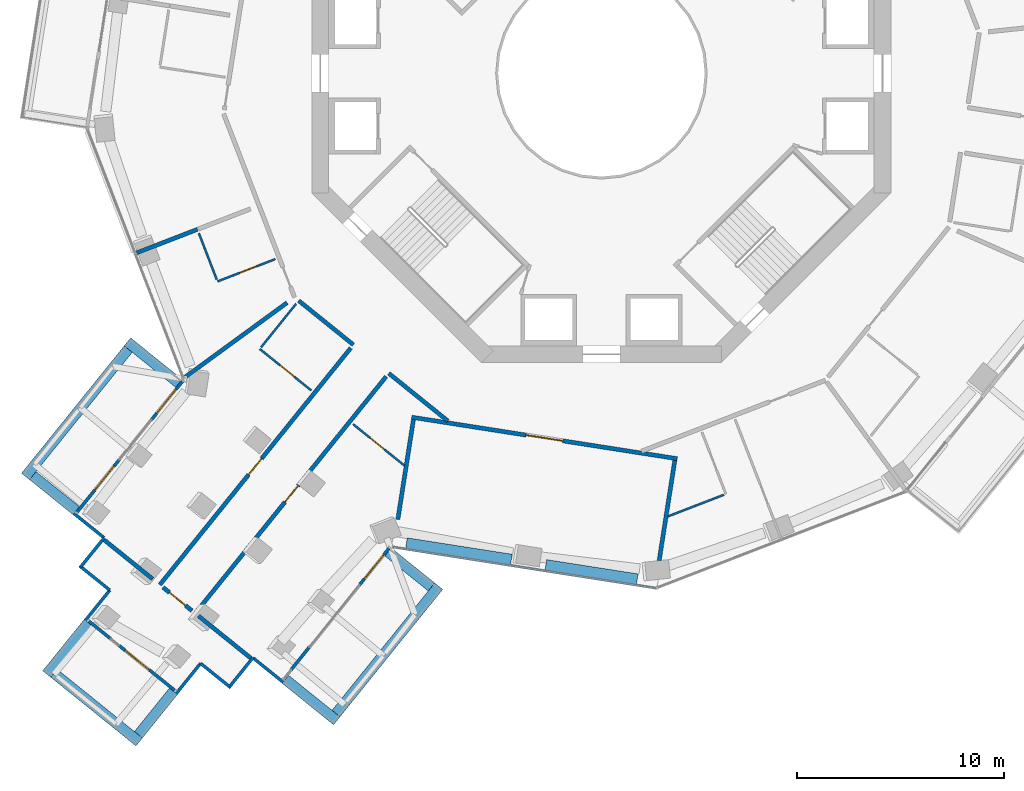
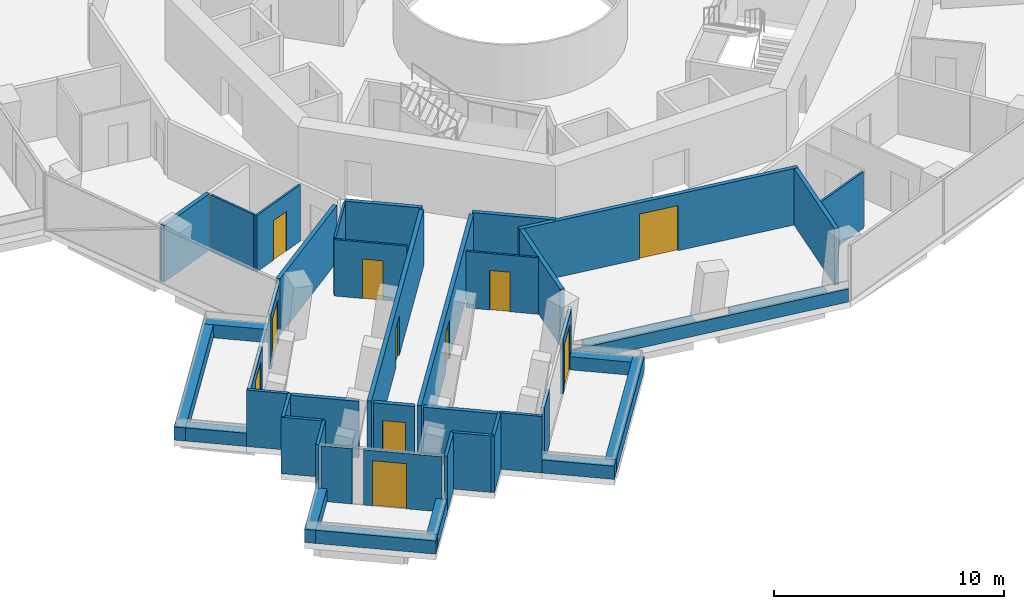
# One storey, part 15 of 23: 44 walls, 11 doors, 11 openings.
"""IFC4 building model written with IfcOpenShell, lengths in metres."""

from ifc_helpers import new_model, si_unit, direction, frame, frame_2d, origin, place, context, subcontext, project, spatial, rectangle, extrude, material, layer, layer_set, type_object, element, fill, save


model = new_model("IFC4")

# Units and contexts
model_context = context("Model", 3, precision=1e-05, world=origin(), true_north=direction((0.0, 1.0)))
body_context = subcontext(model_context, "Body", "Model", "MODEL_VIEW")
ifc_project = project(units=[si_unit("LENGTHUNIT", "METRE"), si_unit("AREAUNIT", "SQUARE_METRE"), si_unit("VOLUMEUNIT", "CUBIC_METRE"), si_unit("PLANEANGLEUNIT", "RADIAN"), si_unit("MASSUNIT", "GRAM", prefix="KILO")], contexts=[model_context])

# Site, building, storey
site_placement = place(None, origin())
site = spatial("IfcSite", under=ifc_project, at=site_placement, CompositionType="ELEMENT")
building_placement = place(site_placement, origin())
building = spatial("IfcBuilding", under=site, at=building_placement, Name="Verdalira Terraces Hotel", CompositionType="ELEMENT")
storey_placement = place(building_placement, frame((0.0, 0.0, 118.5)))
storey = spatial("IfcBuildingStorey", under=building, at=storey_placement, Name="L28", CompositionType="ELEMENT", Elevation=118.5)

# Walls
ifc_material_1 = material(Name="Concrete C40", Category="concrete")
ifc_layer_1 = layer(ifc_material_1, 0.5)
ifc_layer_set_1 = layer_set([ifc_layer_1], Name="Balcony planter trough with tree")
wall_type_1 = type_object("IfcWallType", Name="Balcony planter trough with tree", PredefinedType="SOLIDWALL", material=ifc_layer_set_1)
wall_1_placement = place(storey_placement, frame((-20.444336, -14.998291, 0.0), z_axis=(0.0, 0.0, 1.0), x_axis=(-0.778473182, 0.627677867, 0.0)))
element("IfcWall", 1, at=wall_1_placement, inside=storey, type_object=wall_type_1, Name="Balcony planter", PredefinedType="SOLIDWALL", context=body_context, shape_type="SweptSolid", body=[
    extrude(rectangle(XDim=3.199219, YDim=0.5, at=frame_2d((1.599609, 0.0))), origin(), (0.0, 0.0, 1.0), 0.699951),
])
wall_2_placement = place(storey_placement, frame((-22.896973, -13.341797, 0.0), z_axis=(0.0, 0.0, 1.0), x_axis=(-0.627694597, -0.778459693, 0.0)))
element("IfcWall", 2, at=wall_2_placement, inside=storey, type_object=wall_type_1, Name="Balcony planter", PredefinedType="SOLIDWALL", context=body_context, shape_type="SweptSolid", body=[
    extrude(rectangle(XDim=7.918701, YDim=0.5, at=frame_2d((3.959473, 0.0))), origin(), (0.0, 0.0, 1.0), 0.699951),
])
wall_3_placement = place(storey_placement, frame((-27.515869, -19.468262, 0.0), z_axis=(0.0, 0.0, 1.0), x_axis=(0.778471497, -0.627679958, 0.0)))
element("IfcWall", 3, at=wall_3_placement, inside=storey, type_object=wall_type_1, Name="Balcony planter", PredefinedType="SOLIDWALL", context=body_context, shape_type="SweptSolid", body=[
    extrude(rectangle(XDim=2.698975, YDim=0.5, at=frame_2d((1.349609, 0.0))), origin(), (0.0, 0.0, 1.0), 0.699951),
])
wall_4_placement = place(storey_placement, frame((-24.834229, -26.577637, 0.0), z_axis=(0.0, 0.0, 1.0), x_axis=(-0.627715158, -0.778443113, 0.0)))
element("IfcWall", 4, at=wall_4_placement, inside=storey, type_object=wall_type_1, Name="Balcony planter", PredefinedType="SOLIDWALL", context=body_context, shape_type="SweptSolid", body=[
    extrude(rectangle(XDim=3.198975, YDim=0.5, at=frame_2d((1.599609, 0.0))), origin(), (0.0, 0.0, 1.0), 0.699951),
])
wall_5_placement = place(storey_placement, frame((-26.490723, -29.030273, 0.0), z_axis=(0.0, 0.0, 1.0), x_axis=(0.778481289, -0.627667813, 0.0)))
element("IfcWall", 5, at=wall_5_placement, inside=storey, type_object=wall_type_1, Name="Balcony planter", PredefinedType="SOLIDWALL", context=body_context, shape_type="SweptSolid", body=[
    extrude(rectangle(XDim=5.300049, YDim=0.5, at=frame_2d((2.649902, 0.0))), origin(), (0.0, 0.0, 1.0), 0.699951),
])
wall_6_placement = place(storey_placement, frame((-22.402588, -32.005371, 0.0), z_axis=(0.0, 0.0, 1.0), x_axis=(0.627679958, 0.778471497, 0.0)))
element("IfcWall", 6, at=wall_6_placement, inside=storey, type_object=wall_type_1, Name="Balcony planter", PredefinedType="SOLIDWALL", context=body_context, shape_type="SweptSolid", body=[
    extrude(rectangle(XDim=2.698975, YDim=0.5, at=frame_2d((1.349609, 0.0))), origin(), (0.0, 0.0, 1.0), 0.699951),
])
wall_7_placement = place(storey_placement, frame((-15.293213, -29.32373, 0.0), z_axis=(0.0, 0.0, 1.0), x_axis=(0.778443113, -0.627715158, 0.0)))
element("IfcWall", 7, at=wall_7_placement, inside=storey, type_object=wall_type_1, Name="Balcony planter", PredefinedType="SOLIDWALL", context=body_context, shape_type="SweptSolid", body=[
    extrude(rectangle(XDim=3.198975, YDim=0.5, at=frame_2d((1.599609, 0.0))), origin(), (0.0, 0.0, 1.0), 0.699951),
])
wall_8_placement = place(storey_placement, frame((-12.840576, -30.980225, 0.0), z_axis=(0.0, 0.0, 1.0), x_axis=(0.627675913, 0.778474758, 0.0)))
element("IfcWall", 8, at=wall_8_placement, inside=storey, type_object=wall_type_1, Name="Balcony planter", PredefinedType="SOLIDWALL", context=body_context, shape_type="SweptSolid", body=[
    extrude(rectangle(XDim=7.918457, YDim=0.5, at=frame_2d((3.959229, 0.0))), origin(), (0.0, 0.0, 1.0), 0.699951),
])
wall_9_placement = place(storey_placement, frame((-8.221924, -24.853516, 0.0), z_axis=(0.0, 0.0, 1.0), x_axis=(-0.778471497, 0.627679958, 0.0)))
element("IfcWall", 9, at=wall_9_placement, inside=storey, type_object=wall_type_1, Name="Balcony planter", PredefinedType="SOLIDWALL", context=body_context, shape_type="SweptSolid", body=[
    extrude(rectangle(XDim=2.698975, YDim=0.5, at=frame_2d((1.349609, 0.0))), origin(), (0.0, 0.0, 1.0), 0.699951),
])
ifc_material_2 = material(Name="Moisture-resistant gypsum board partition")
ifc_layer_2 = layer(ifc_material_2, 0.10009765625)
ifc_layer_set_2 = layer_set([ifc_layer_2], Name="Bathroom partition 100 mm")
wall_type_2 = type_object("IfcWallType", Name="Bathroom partition 100 mm", PredefinedType="PARTITIONING", material=ifc_layer_set_2)
wall_10_placement = place(storey_placement, frame((-18.61377, -9.977051, 0.0), z_axis=(0.0, 0.0, 1.0), x_axis=(-0.360314788, 0.932830774, 0.0)))
element("IfcWall", 10, at=wall_10_placement, inside=storey, type_object=wall_type_2, Name="Bathroom partition", PredefinedType="PARTITIONING", context=body_context, shape_type="SweptSolid", body=[
    extrude(rectangle(XDim=2.399902, YDim=0.100098, at=frame_2d((1.199951, 0.0))), origin(), (0.0, 0.0, 1.0), 3.0),
])

# Wall, opening, door
wall_11_placement = place(storey_placement, frame((-18.577637, -10.070312, 0.0), z_axis=(0.0, 0.0, 1.0), x_axis=(0.932839169, 0.360293055, 0.0)))
wall_11 = element("IfcWall", 11, at=wall_11_placement, inside=storey, type_object=wall_type_2, Name="Bathroom partition", PredefinedType="PARTITIONING", context=body_context, shape_type="SweptSolid", body=[
    extrude(rectangle(XDim=2.999756, YDim=0.100098, at=frame_2d((1.5, 0.0))), origin(), (0.0, 0.0, 1.0), 3.0),
])
opening_1_placement = place(wall_11_placement, frame((1.149902, 0.0, 0.0)))
opening_1 = element("IfcOpeningElement", 12, at=opening_1_placement, cuts=wall_11, Name="Opening L28-111", PredefinedType="OPENING", context=body_context, shape_type="SweptSolid", body=[
    extrude(rectangle(XDim=0.899902, YDim=2.100098, at=frame_2d((0.449951, 1.050049))), frame((0.0, 0.060059, 0.0), z_axis=(0.0, -1.0, 0.0), x_axis=(1.0, 0.0, 0.0)), (0.0, 0.0, 1.0), 0.120117),
])
ifc_material_3 = material(Name="Timber door", Category="wood")
door_type_1 = type_object("IfcDoorType", Name="Bathroom door 900 x 2100", OperationType="NOTDEFINED", PredefinedType="DOOR", material=ifc_material_3)
door_1_placement = place(opening_1_placement, origin())
door_1 = element("IfcDoor", 13, at=door_1_placement, inside=storey, type_object=door_type_1, Name="Bathroom door 2805", OperationType="SINGLE_SWING_LEFT", OverallHeight=2.10009765625, OverallWidth=0.89990234375, PredefinedType="DOOR", context=body_context, shape_type="SweptSolid", body=[
    extrude(rectangle(XDim=0.899902, YDim=2.100098, at=frame_2d((0.449951, 1.050049))), frame((0.0, 0.024902, 0.0), z_axis=(0.0, -1.0, 0.0), x_axis=(1.0, 0.0, 0.0)), (0.0, 0.0, 1.0), 0.050049),
])
fill(opening_1, door_1)

# Wall
wall_12_placement = place(storey_placement, frame((-16.470215, -13.25708, 0.0), z_axis=(0.0, 0.0, 1.0), x_axis=(0.6277118, 0.778445821, 0.0)))
element("IfcWall", 14, at=wall_12_placement, inside=storey, type_object=wall_type_2, Name="Bathroom partition", PredefinedType="PARTITIONING", context=body_context, shape_type="SweptSolid", body=[
    extrude(rectangle(XDim=2.699951, YDim=0.100098, at=frame_2d((1.350098, 0.0))), origin(), (0.0, 0.0, 1.0), 3.0),
])

# Wall, opening, door
wall_13_placement = place(storey_placement, frame((-16.532959, -13.334961, 0.0), z_axis=(0.0, 0.0, 1.0), x_axis=(0.778488797, -0.6276585, 0.0)))
wall_13 = element("IfcWall", 15, at=wall_13_placement, inside=storey, type_object=wall_type_2, Name="Bathroom partition", PredefinedType="PARTITIONING", context=body_context, shape_type="SweptSolid", body=[
    extrude(rectangle(XDim=3.199951, YDim=0.100098, at=frame_2d((1.600098, 0.0))), origin(), (0.0, 0.0, 1.0), 3.0),
])
opening_2_placement = place(wall_13_placement, frame((1.25, 0.0, 0.0)))
opening_2 = element("IfcOpeningElement", 16, at=opening_2_placement, cuts=wall_13, Name="Opening L28-113", PredefinedType="OPENING", context=body_context, shape_type="SweptSolid", body=[
    extrude(rectangle(XDim=0.899902, YDim=2.100098, at=frame_2d((0.449951, 1.050049))), frame((0.0, 0.060059, 0.0), z_axis=(0.0, -1.0, 0.0), x_axis=(1.0, 0.0, 0.0)), (0.0, 0.0, 1.0), 0.120117),
])
door_2_placement = place(opening_2_placement, origin())
door_2 = element("IfcDoor", 17, at=door_2_placement, inside=storey, type_object=door_type_1, Name="Bathroom door 2806", OperationType="SINGLE_SWING_LEFT", OverallHeight=2.10009765625, OverallWidth=0.89990234375, PredefinedType="DOOR", context=body_context, shape_type="SweptSolid", body=[
    extrude(rectangle(XDim=0.899902, YDim=2.100098, at=frame_2d((0.449951, 1.050049))), frame((0.0, 0.024902, 0.0), z_axis=(0.0, -1.0, 0.0), x_axis=(1.0, 0.0, 0.0)), (0.0, 0.0, 1.0), 0.050049),
])
fill(opening_2, door_2)

wall_14_placement = place(storey_placement, frame((-12.017822, -16.975586, 0.0), z_axis=(0.0, 0.0, 1.0), x_axis=(0.778473182, -0.627677867, 0.0)))
wall_14 = element("IfcWall", 18, at=wall_14_placement, inside=storey, type_object=wall_type_2, Name="Bathroom partition", PredefinedType="PARTITIONING", context=body_context, shape_type="SweptSolid", body=[
    extrude(rectangle(XDim=3.199219, YDim=0.100098, at=frame_2d((1.599609, 0.0))), origin(), (0.0, 0.0, 1.0), 3.0),
])
opening_3_placement = place(wall_14_placement, frame((1.050049, 0.0, 0.0)))
opening_3 = element("IfcOpeningElement", 19, at=opening_3_placement, cuts=wall_14, Name="Opening L28-116", PredefinedType="OPENING", context=body_context, shape_type="SweptSolid", body=[
    extrude(rectangle(XDim=0.899902, YDim=2.100098, at=frame_2d((0.449951, 1.050049))), frame((0.0, 0.060059, 0.0), z_axis=(0.0, -1.0, 0.0), x_axis=(1.0, 0.0, 0.0)), (0.0, 0.0, 1.0), 0.120117),
])
door_3_placement = place(opening_3_placement, origin())
door_3 = element("IfcDoor", 20, at=door_3_placement, inside=storey, type_object=door_type_1, Name="Bathroom door 2808", OperationType="SINGLE_SWING_RIGHT", OverallHeight=2.10009765625, OverallWidth=0.89990234375, PredefinedType="DOOR", context=body_context, shape_type="SweptSolid", body=[
    extrude(rectangle(XDim=0.899902, YDim=2.100098, at=frame_2d((0.449951, 1.050049))), frame((0.0, 0.024902, 0.0), z_axis=(0.0, -1.0, 0.0), x_axis=(1.0, 0.0, 0.0)), (0.0, 0.0, 1.0), 0.050049),
])
fill(opening_3, door_3)

# Walls
wall_15_placement = place(storey_placement, frame((3.211182, -21.441406, 0.0), z_axis=(0.0, 0.0, 1.0), x_axis=(0.932845531, 0.360276582, 0.0)))
element("IfcWall", 21, at=wall_15_placement, inside=storey, type_object=wall_type_2, Name="Bathroom partition", PredefinedType="PARTITIONING", context=body_context, shape_type="SweptSolid", body=[
    extrude(rectangle(XDim=2.911865, YDim=0.100098, at=frame_2d((1.456055, 0.0))), origin(), (0.0, 0.0, 1.0), 3.0),
])
ifc_material_4 = material(Name="Fire-rated gypsum board wall")
ifc_layer_3 = layer(ifc_material_4, 0.199951171875)
ifc_layer_set_3 = layer_set([ifc_layer_3], Name="Demising wall 200 mm")
wall_type_3 = type_object("IfcWallType", Name="Demising wall 200 mm", PredefinedType="SOLIDWALL", material=ifc_layer_set_3)
wall_16_placement = place(storey_placement, frame((-24.052979, -22.581787, 0.0), z_axis=(0.0, 0.0, 1.0), x_axis=(0.778483522, -0.627665043, 0.0)))
element("IfcWall", 22, at=wall_16_placement, inside=storey, type_object=wall_type_3, Name="Demising wall", PredefinedType="SOLIDWALL", context=body_context, shape_type="SweptSolid", body=[
    extrude(rectangle(XDim=3.00293, YDim=0.199951, at=frame_2d((1.501465, 0.0))), origin(), (0.0, 0.0, 1.0), 3.0),
])
wall_17_placement = place(storey_placement, frame((-19.548584, -7.551025, 0.0), z_axis=(0.0, 0.0, 1.0), x_axis=(-0.932833636, -0.360307379, 0.0)))
element("IfcWall", 23, at=wall_17_placement, inside=storey, type_object=wall_type_3, Name="Demising wall", PredefinedType="SOLIDWALL", context=body_context, shape_type="SweptSolid", body=[
    extrude(rectangle(XDim=3.1521, YDim=0.199951, at=frame_2d((1.576172, 0.0))), origin(), (0.0, 0.0, 1.0), 3.0),
])
wall_18_placement = place(storey_placement, frame((-19.500488, -26.252441, 0.0), z_axis=(0.0, 0.0, 1.0), x_axis=(0.778453274, -0.627702558, 0.0)))
element("IfcWall", 24, at=wall_18_placement, inside=storey, type_object=wall_type_3, Name="Demising wall", PredefinedType="SOLIDWALL", context=body_context, shape_type="SweptSolid", body=[
    extrude(rectangle(XDim=3.251953, YDim=0.199951, at=frame_2d((1.625977, 0.0))), origin(), (0.0, 0.0, 1.0), 3.0),
])
wall_19_placement = place(storey_placement, frame((-15.212158, -11.101074, 0.0), z_axis=(0.0, 0.0, 1.0), x_axis=(-0.807781213, -0.589482411, 0.0)))
element("IfcWall", 25, at=wall_19_placement, inside=storey, type_object=wall_type_3, Name="Demising wall", PredefinedType="SOLIDWALL", context=body_context, shape_type="SweptSolid", body=[
    extrude(rectangle(XDim=6.13208, YDim=0.199951, at=frame_2d((3.065918, 0.0))), origin(), (0.0, 0.0, 1.0), 3.0),
])

# Wall, opening, door
ifc_material_5 = material(Name="Fire-rated gypsum board wall")
ifc_layer_4 = layer(ifc_material_5, 0.199951171875)
ifc_layer_set_4 = layer_set([ifc_layer_4], Name="Guest corridor wall 200 mm")
wall_type_4 = type_object("IfcWallType", Name="Guest corridor wall 200 mm", PredefinedType="SOLIDWALL", material=ifc_layer_set_4)
wall_20_placement = place(storey_placement, frame((-19.808838, -26.003906, 0.0), z_axis=(0.0, 0.0, 1.0), x_axis=(-0.778470697, 0.62768095, 0.0)))
wall_20 = element("IfcWall", 26, at=wall_20_placement, inside=storey, type_object=wall_type_4, Name="Guest corridor wall", PredefinedType="SOLIDWALL", context=body_context, shape_type="SweptSolid", body=[
    extrude(rectangle(XDim=1.802002, YDim=0.199951, at=frame_2d((0.900879, 0.0))), origin(), (0.0, 0.0, 1.0), 3.0),
])
opening_4_placement = place(wall_20_placement, frame((0.399902, 0.0, 0.0)))
opening_4 = element("IfcOpeningElement", 27, at=opening_4_placement, cuts=wall_20, Name="Opening L28-114", PredefinedType="OPENING", context=body_context, shape_type="SweptSolid", body=[
    extrude(rectangle(XDim=1.0, YDim=2.100098, at=frame_2d((0.5, 1.050049))), frame((0.0, 0.109863, 0.0), z_axis=(0.0, -1.0, 0.0), x_axis=(1.0, 0.0, 0.0)), (0.0, 0.0, 1.0), 0.219971),
])
ifc_material_6 = material(Name="Timber door", Category="wood")
door_type_2 = type_object("IfcDoorType", Name="Lounge door 1000 x 2100", OperationType="NOTDEFINED", PredefinedType="DOOR", material=ifc_material_6)
door_4_placement = place(opening_4_placement, origin())
door_4 = element("IfcDoor", 28, at=door_4_placement, inside=storey, type_object=door_type_2, Name="Lounge door 2807", OperationType="SINGLE_SWING_LEFT", OverallHeight=2.10009765625, OverallWidth=1.0, PredefinedType="DOOR", context=body_context, shape_type="SweptSolid", body=[
    extrude(rectangle(XDim=1.0, YDim=2.100098, at=frame_2d((0.5, 1.050049))), frame((0.0, 0.024902, 0.0), z_axis=(0.0, -1.0, 0.0), x_axis=(1.0, 0.0, 0.0)), (0.0, 0.0, 1.0), 0.050049),
])
fill(opening_4, door_4)

wall_21_placement = place(storey_placement, frame((-21.367188, -24.747314, 0.0), z_axis=(0.0, 0.0, 1.0), x_axis=(0.627686308, 0.778466376, 0.0)))
wall_21 = element("IfcWall", 29, at=wall_21_placement, inside=storey, type_object=wall_type_4, Name="Guest corridor wall", PredefinedType="SOLIDWALL", context=body_context, shape_type="SweptSolid", body=[
    extrude(rectangle(XDim=14.718262, YDim=0.199951, at=frame_2d((7.359131, 0.0))), origin(), (0.0, 0.0, 1.0), 3.0),
])
opening_5_placement = place(wall_21_placement, frame((6.850098, 0.0, 0.0)))
opening_5 = element("IfcOpeningElement", 30, at=opening_5_placement, cuts=wall_21, Name="Opening L28-112", PredefinedType="OPENING", context=body_context, shape_type="SweptSolid", body=[
    extrude(rectangle(XDim=1.0, YDim=2.100098, at=frame_2d((0.5, 1.050049))), frame((0.0, 0.109863, 0.0), z_axis=(0.0, -1.0, 0.0), x_axis=(1.0, 0.0, 0.0)), (0.0, 0.0, 1.0), 0.219971),
])
ifc_material_7 = material(Name="Timber fire door", Category="wood")
door_type_3 = type_object("IfcDoorType", Name="Guest entry door 1000 x 2100", OperationType="NOTDEFINED", PredefinedType="DOOR", material=ifc_material_7)
door_5_placement = place(opening_5_placement, origin())
door_5 = element("IfcDoor", 31, at=door_5_placement, inside=storey, type_object=door_type_3, Name="Guest entry door 2806", OperationType="SINGLE_SWING_LEFT", OverallHeight=2.10009765625, OverallWidth=1.0, PredefinedType="DOOR", context=body_context, shape_type="SweptSolid", body=[
    extrude(rectangle(XDim=1.0, YDim=2.100098, at=frame_2d((0.5, 1.050049))), frame((0.0, 0.024902, 0.0), z_axis=(0.0, -1.0, 0.0), x_axis=(1.0, 0.0, 0.0)), (0.0, 0.0, 1.0), 0.050049),
])
fill(opening_5, door_5)

wall_22_placement = place(storey_placement, frame((-10.416016, -14.67041, 0.0), z_axis=(0.0, 0.0, 1.0), x_axis=(-0.627686308, -0.778466376, 0.0)))
wall_22 = element("IfcWall", 32, at=wall_22_placement, inside=storey, type_object=wall_type_4, Name="Guest corridor wall", PredefinedType="SOLIDWALL", context=body_context, shape_type="SweptSolid", body=[
    extrude(rectangle(XDim=14.718262, YDim=0.199951, at=frame_2d((7.359131, 0.0))), origin(), (0.0, 0.0, 1.0), 3.0),
])
opening_6_placement = place(wall_22_placement, frame((6.800049, 0.0, 0.0)))
opening_6 = element("IfcOpeningElement", 33, at=opening_6_placement, cuts=wall_22, Name="Opening L28-115", PredefinedType="OPENING", context=body_context, shape_type="SweptSolid", body=[
    extrude(rectangle(XDim=1.0, YDim=2.100098, at=frame_2d((0.5, 1.050049))), frame((0.0, 0.109863, 0.0), z_axis=(0.0, -1.0, 0.0), x_axis=(1.0, 0.0, 0.0)), (0.0, 0.0, 1.0), 0.219971),
])
door_6_placement = place(opening_6_placement, origin())
door_6 = element("IfcDoor", 34, at=door_6_placement, inside=storey, type_object=door_type_3, Name="Guest entry door 2808", OperationType="SINGLE_SWING_RIGHT", OverallHeight=2.10009765625, OverallWidth=1.0, PredefinedType="DOOR", context=body_context, shape_type="SweptSolid", body=[
    extrude(rectangle(XDim=1.0, YDim=2.100098, at=frame_2d((0.5, 1.050049))), frame((0.0, 0.024902, 0.0), z_axis=(0.0, -1.0, 0.0), x_axis=(1.0, 0.0, 0.0)), (0.0, 0.0, 1.0), 0.050049),
])
fill(opening_6, door_6)

# Walls
wall_23_placement = place(storey_placement, frame((-14.649902, -10.999512, 0.0), z_axis=(0.0, 0.0, 1.0), x_axis=(0.778439072, -0.62772017, 0.0)))
element("IfcWall", 35, at=wall_23_placement, inside=storey, type_object=wall_type_4, Name="Guest corridor wall", PredefinedType="SOLIDWALL", context=body_context, shape_type="SweptSolid", body=[
    extrude(rectangle(XDim=3.400146, YDim=0.199951, at=frame_2d((1.700195, 0.0))), origin(), (0.0, 0.0, 1.0), 3.0),
])
wall_24_placement = place(storey_placement, frame((-10.290283, -14.514648, 0.0), z_axis=(0.0, 0.0, 1.0), x_axis=(0.778447565, -0.627709637, 0.0)))
element("IfcWall", 36, at=wall_24_placement, inside=storey, type_object=wall_type_4, Name="Guest corridor wall", PredefinedType="SOLIDWALL", context=body_context, shape_type="SweptSolid", body=[
    extrude(rectangle(XDim=3.678223, YDim=0.199951, at=frame_2d((1.839111, 0.0))), origin(), (0.0, 0.0, 1.0), 3.0),
])

# Wall, opening, door
ifc_material_8 = material(Name="Terracotta cladding", Category="masonry")
ifc_layer_5 = layer(ifc_material_8, 0.199951171875)
ifc_layer_set_5 = layer_set([ifc_layer_5], Name="Loggia back wall 200")
wall_type_5 = type_object("IfcWallType", Name="Loggia back wall 200", PredefinedType="SOLIDWALL", material=ifc_layer_set_5)
wall_25_placement = place(storey_placement, frame((3.665283, -18.647705, 0.0), z_axis=(0.0, 0.0, 1.0), x_axis=(-0.988012481, 0.154374016, 0.0)))
wall_25 = element("IfcWall", 37, at=wall_25_placement, inside=storey, type_object=wall_type_5, Name="Loggia back wall", PredefinedType="SOLIDWALL", context=body_context, shape_type="SweptSolid", body=[
    extrude(rectangle(XDim=12.999756, YDim=0.199951, at=frame_2d((6.5, 0.0))), origin(), (0.0, 0.0, 1.0), 3.0),
])
opening_7_placement = place(wall_25_placement, frame((5.600098, 0.0, 0.0)))
opening_7 = element("IfcOpeningElement", 38, at=opening_7_placement, cuts=wall_25, Name="Opening L28-L01", PredefinedType="OPENING", context=body_context, shape_type="SweptSolid", body=[
    extrude(rectangle(XDim=1.800049, YDim=2.399902, at=frame_2d((0.899902, 1.199951))), frame((0.0, 0.109863, 0.0), z_axis=(0.0, -1.0, 0.0), x_axis=(1.0, 0.0, 0.0)), (0.0, 0.0, 1.0), 0.219971),
])
ifc_material_9 = material(Name="Clear glass", Category="glass")
door_type_4 = type_object("IfcDoorType", Name="Garden double door 1800x2400", OperationType="NOTDEFINED", PredefinedType="DOOR", material=ifc_material_9)
door_7_placement = place(opening_7_placement, origin())
door_7 = element("IfcDoor", 39, at=door_7_placement, inside=storey, type_object=door_type_4, Name="Loggia double door", OperationType="DOUBLE_DOOR_SINGLE_SWING", OverallHeight=2.39990234375, OverallWidth=1.800048828125, PredefinedType="DOOR", context=body_context, shape_type="SweptSolid", body=[
    extrude(rectangle(XDim=1.800049, YDim=2.399902, at=frame_2d((0.899902, 1.199951))), frame((0.0, 0.024902, 0.0), z_axis=(0.0, -1.0, 0.0), x_axis=(1.0, 0.0, 0.0)), (0.0, 0.0, 1.0), 0.050049),
])
fill(opening_7, door_7)

# Walls
wall_26_placement = place(storey_placement, frame((-9.850098, -21.585938, 0.0), z_axis=(0.0, 0.0, 1.0), x_axis=(0.154341846, 0.988017507, 0.0)))
element("IfcWall", 40, at=wall_26_placement, inside=storey, type_object=wall_type_5, Name="Loggia side wall", PredefinedType="SOLIDWALL", context=body_context, shape_type="SweptSolid", body=[
    extrude(rectangle(XDim=4.889404, YDim=0.199951, at=frame_2d((2.444824, 0.0))), origin(), (0.0, 0.0, 1.0), 3.0),
])
wall_27_placement = place(storey_placement, frame((2.794189, -23.576172, 0.0), z_axis=(0.0, 0.0, 1.0), x_axis=(0.15433132, 0.988019152, 0.0)))
element("IfcWall", 41, at=wall_27_placement, inside=storey, type_object=wall_type_5, Name="Loggia side wall", PredefinedType="SOLIDWALL", context=body_context, shape_type="SweptSolid", body=[
    extrude(rectangle(XDim=4.904053, YDim=0.199951, at=frame_2d((2.452148, 0.0))), origin(), (0.0, 0.0, 1.0), 3.0),
])
ifc_material_10 = material(Name="Concrete C40", Category="concrete")
ifc_layer_6 = layer(ifc_material_10, 0.5)
ifc_layer_set_6 = layer_set([ifc_layer_6], Name="Loggia planter trough with tree")
wall_type_6 = type_object("IfcWallType", Name="Loggia planter trough with tree", PredefinedType="SOLIDWALL", material=ifc_layer_set_6)
wall_28_placement = place(storey_placement, frame((-9.434082, -22.724365, 0.0), z_axis=(0.0, 0.0, 1.0), x_axis=(0.988012487, -0.154373981, 0.0)))
element("IfcWall", 42, at=wall_28_placement, inside=storey, type_object=wall_type_6, Name="Loggia planter", PredefinedType="SOLIDWALL", context=body_context, shape_type="SweptSolid", body=[
    extrude(rectangle(XDim=5.138184, YDim=0.5, at=frame_2d((2.569092, 0.0))), origin(), (0.0, 0.0, 1.0), 0.699951),
])
wall_29_placement = place(storey_placement, frame((-2.688721, -23.77832, 0.0), z_axis=(0.0, 0.0, 1.0), x_axis=(0.988012034, -0.15437688, 0.0)))
element("IfcWall", 43, at=wall_29_placement, inside=storey, type_object=wall_type_6, Name="Loggia planter", PredefinedType="SOLIDWALL", context=body_context, shape_type="SweptSolid", body=[
    extrude(rectangle(XDim=4.475586, YDim=0.5, at=frame_2d((2.237793, 0.0))), origin(), (0.0, 0.0, 1.0), 0.699951),
])
ifc_material_11 = material(Name="Concrete C40", Category="concrete")
ifc_layer_7 = layer(ifc_material_11, 0.10009765625)
ifc_layer_set_7 = layer_set([ifc_layer_7], Name="Loggia upstand 100")
wall_type_7 = type_object("IfcWallType", Name="Loggia upstand 100", PredefinedType="SOLIDWALL", material=ifc_layer_set_7)
wall_30_placement = place(storey_placement, frame((-10.080078, -22.927246, 0.0), z_axis=(0.0, 0.0, 1.0), x_axis=(0.988015568, -0.154354259, 0.0)))
element("IfcWall", 44, at=wall_30_placement, inside=storey, type_object=wall_type_7, Name="Loggia upstand", PredefinedType="SOLIDWALL", context=body_context, shape_type="SweptSolid", body=[
    extrude(rectangle(XDim=12.840088, YDim=0.100098, at=frame_2d((6.419922, 0.0))), origin(), (0.0, 0.0, 1.0), 0.699951),
])
ifc_material_12 = material(Name="Terracotta cladding", Category="masonry")
ifc_layer_8 = layer(ifc_material_12, 0.14990234375)
ifc_layer_set_8 = layer_set([ifc_layer_8], Name="Terracotta clad wall 150")
wall_type_8 = type_object("IfcWallType", Name="Terracotta clad wall 150", PredefinedType="SOLIDWALL", material=ifc_layer_set_8)
wall_31_placement = place(storey_placement, frame((-25.523926, -21.299316, 0.0), z_axis=(0.0, 0.0, 1.0), x_axis=(0.778462293, -0.627691372, 0.0)))
element("IfcWall", 45, at=wall_31_placement, inside=storey, type_object=wall_type_8, Name="Terracotta cladding wall", PredefinedType="SOLIDWALL", context=body_context, shape_type="SweptSolid", body=[
    extrude(rectangle(XDim=1.875244, YDim=0.149902, at=frame_2d((0.9375, 0.0))), origin(), (0.0, 0.0, 1.0), 3.0),
])
wall_32_placement = place(storey_placement, frame((-24.064209, -22.476318, 0.0), z_axis=(0.0, 0.0, 1.0), x_axis=(-0.627733893, -0.778428006, 0.0)))
element("IfcWall", 46, at=wall_32_placement, inside=storey, type_object=wall_type_8, Name="Terracotta cladding wall", PredefinedType="SOLIDWALL", context=body_context, shape_type="SweptSolid", body=[
    extrude(rectangle(XDim=1.800049, YDim=0.149902, at=frame_2d((0.899902, 0.0))), origin(), (0.0, 0.0, 1.0), 3.0),
])
for number, where, z_axis, x_axis, name in (
    (47, (-25.252441, -23.830322, 0.0), (0.0, 0.0, 1.0), (0.778410987, -0.627754996, 0.0), "Terracotta cladding wall"),
    (48, (-23.792969, -25.007324, 0.0), (0.0, 0.0, 1.0), (-0.627612461, -0.778525914, 0.0), "Terracotta cladding wall"),
):
    element("IfcWall", number, at=place(storey_placement, frame(where, z_axis=z_axis, x_axis=x_axis)), inside=storey, type_object=wall_type_8, Name=name, PredefinedType="SOLIDWALL", context=body_context, shape_type="SweptSolid", body=[
        extrude(rectangle(XDim=1.875, YDim=0.149902, at=frame_2d((0.9375, 0.0))), origin(), (0.0, 0.0, 1.0), 3.0),
    ])
wall_33_placement = place(storey_placement, frame((-20.571533, -30.013428, 0.0), z_axis=(0.0, 0.0, 1.0), x_axis=(0.627691372, 0.778462293, 0.0)))
element("IfcWall", 49, at=wall_33_placement, inside=storey, type_object=wall_type_8, Name="Terracotta cladding wall", PredefinedType="SOLIDWALL", context=body_context, shape_type="SweptSolid", body=[
    extrude(rectangle(XDim=1.875244, YDim=0.149902, at=frame_2d((0.9375, 0.0))), origin(), (0.0, 0.0, 1.0), 3.0),
])
wall_34_placement = place(storey_placement, frame((-19.394531, -28.553711, 0.0), z_axis=(0.0, 0.0, 1.0), x_axis=(0.778428006, -0.627733893, 0.0)))
element("IfcWall", 50, at=wall_34_placement, inside=storey, type_object=wall_type_8, Name="Terracotta cladding wall", PredefinedType="SOLIDWALL", context=body_context, shape_type="SweptSolid", body=[
    extrude(rectangle(XDim=1.800049, YDim=0.149902, at=frame_2d((0.899902, 0.0))), origin(), (0.0, 0.0, 1.0), 3.0),
])
for number, where, z_axis, x_axis, name in (
    (51, (-18.040527, -29.741943, 0.0), (0.0, 0.0, 1.0), (0.627754996, 0.778410987, 0.0), "Terracotta cladding wall"),
    (52, (-16.863525, -28.282471, 0.0), (0.0, 0.0, 1.0), (0.778525914, -0.627612461, 0.0), "Terracotta cladding wall"),
):
    element("IfcWall", number, at=place(storey_placement, frame(where, z_axis=z_axis, x_axis=x_axis)), inside=storey, type_object=wall_type_8, Name=name, PredefinedType="SOLIDWALL", context=body_context, shape_type="SweptSolid", body=[
        extrude(rectangle(XDim=1.875, YDim=0.149902, at=frame_2d((0.9375, 0.0))), origin(), (0.0, 0.0, 1.0), 3.0),
    ])
ifc_material_13 = material(Name="Terracotta cladding", Category="masonry")
ifc_layer_9 = layer(ifc_material_13, 0.14990234375)
ifc_layer_set_9 = layer_set([ifc_layer_9], Name="Terracotta column pier 150")
wall_type_9 = type_object("IfcWallType", Name="Terracotta column pier 150", PredefinedType="SOLIDWALL", material=ifc_layer_set_9)
wall_35_placement = place(storey_placement, frame((-24.802002, -26.505859, 0.0), z_axis=(0.0, 0.0, 1.0), x_axis=(0.778401839, -0.627766339, 0.0)))
element("IfcWall", 53, at=wall_35_placement, inside=storey, type_object=wall_type_9, Name="Terracotta column pier", PredefinedType="SOLIDWALL", context=body_context, shape_type="SweptSolid", body=[
    extrude(rectangle(XDim=1.374268, YDim=0.149902, at=frame_2d((0.687012, 0.0))), origin(), (0.0, 0.0, 1.0), 2.935059),
])
wall_36_placement = place(storey_placement, frame((-15.019775, -28.863525, 0.0), z_axis=(0.0, 0.0, 1.0), x_axis=(0.627712366, 0.778445365, 0.0)))
element("IfcWall", 54, at=wall_36_placement, inside=storey, type_object=wall_type_9, Name="Terracotta column pier", PredefinedType="SOLIDWALL", context=body_context, shape_type="SweptSolid", body=[
    extrude(rectangle(XDim=1.428467, YDim=0.149902, at=frame_2d((0.714355, 0.0))), origin(), (0.0, 0.0, 1.0), 2.935059),
])

# Wall, opening, door
ifc_material_14 = material(Name="Terracotta cladding", Category="masonry")
ifc_layer_10 = layer(ifc_material_14, 0.14990234375)
ifc_layer_set_10 = layer_set([ifc_layer_10], Name="Terracotta door pier 150")
wall_type_10 = type_object("IfcWallType", Name="Terracotta door pier 150", PredefinedType="SOLIDWALL", material=ifc_layer_set_10)
wall_37_placement = place(storey_placement, frame((-20.272217, -14.905762, 0.0), z_axis=(0.0, 0.0, 1.0), x_axis=(-0.627694511, -0.778459762, 0.0)))
wall_37 = element("IfcWall", 55, at=wall_37_placement, inside=storey, type_object=wall_type_10, Name="Terracotta door pier", PredefinedType="SOLIDWALL", context=body_context, shape_type="SweptSolid", body=[
    extrude(rectangle(XDim=2.388428, YDim=0.149902, at=frame_2d((1.194336, 0.0))), origin(), (0.0, 0.0, 1.0), 2.935059),
])
opening_8_placement = place(wall_37_placement, frame((0.488525, 0.0, 0.0)))
opening_8 = element("IfcOpeningElement", 56, at=opening_8_placement, cuts=wall_37, Name="Opening L28-B05", PredefinedType="OPENING", context=body_context, shape_type="SweptSolid", body=[
    extrude(rectangle(XDim=1.5, YDim=2.399902, at=frame_2d((0.75, 1.199951))), frame((0.0, 0.084961, 0.0), z_axis=(0.0, -1.0, 0.0), x_axis=(1.0, 0.0, 0.0)), (0.0, 0.0, 1.0), 0.169922),
])
ifc_material_15 = material(Name="Clear glass", Category="glass")
door_type_5 = type_object("IfcDoorType", Name="Balcony sliding door 1500x2400", OperationType="NOTDEFINED", PredefinedType="DOOR", material=ifc_material_15)
door_8_placement = place(opening_8_placement, origin())
door_8 = element("IfcDoor", 57, at=door_8_placement, inside=storey, type_object=door_type_5, Name="Balcony sliding door", OperationType="SLIDING_TO_LEFT", OverallHeight=2.39990234375, OverallWidth=1.5, PredefinedType="DOOR", context=body_context, shape_type="SweptSolid", body=[
    extrude(rectangle(XDim=1.5, YDim=2.399902, at=frame_2d((0.75, 1.199951))), frame((0.0, 0.024902, 0.0), z_axis=(0.0, -1.0, 0.0), x_axis=(1.0, 0.0, 0.0)), (0.0, 0.0, 1.0), 0.050049),
])
fill(opening_8, door_8)

wall_38_placement = place(storey_placement, frame((-23.328369, -18.696045, 0.0), z_axis=(0.0, 0.0, 1.0), x_axis=(-0.627695357, -0.778459079, 0.0)))
wall_38 = element("IfcWall", 58, at=wall_38_placement, inside=storey, type_object=wall_type_10, Name="Terracotta door pier", PredefinedType="SOLIDWALL", context=body_context, shape_type="SweptSolid", body=[
    extrude(rectangle(XDim=3.259766, YDim=0.149902, at=frame_2d((1.629883, 0.0))), origin(), (0.0, 0.0, 1.0), 2.935059),
])
opening_9_placement = place(wall_38_placement, frame((0.399902, 0.0, 0.0)))
opening_9 = element("IfcOpeningElement", 59, at=opening_9_placement, cuts=wall_38, Name="Opening L28-B06", PredefinedType="OPENING", context=body_context, shape_type="SweptSolid", body=[
    extrude(rectangle(XDim=1.5, YDim=2.399902, at=frame_2d((0.75, 1.199951))), frame((0.0, 0.084961, 0.0), z_axis=(0.0, -1.0, 0.0), x_axis=(1.0, 0.0, 0.0)), (0.0, 0.0, 1.0), 0.169922),
])
door_9_placement = place(opening_9_placement, origin())
door_9 = element("IfcDoor", 60, at=door_9_placement, inside=storey, type_object=door_type_5, Name="Balcony sliding door", OperationType="SLIDING_TO_RIGHT", OverallHeight=2.39990234375, OverallWidth=1.5, PredefinedType="DOOR", context=body_context, shape_type="SweptSolid", body=[
    extrude(rectangle(XDim=1.5, YDim=2.399902, at=frame_2d((0.75, 1.199951))), frame((0.0, 0.024902, 0.0), z_axis=(0.0, -1.0, 0.0), x_axis=(1.0, 0.0, 0.0)), (0.0, 0.0, 1.0), 0.050049),
])
fill(opening_9, door_9)

wall_39_placement = place(storey_placement, frame((-23.346436, -27.679688, 0.0), z_axis=(0.0, 0.0, 1.0), x_axis=(0.778495101, -0.627650682, 0.0)))
wall_39 = element("IfcWall", 61, at=wall_39_placement, inside=storey, type_object=wall_type_10, Name="Terracotta door pier", PredefinedType="SOLIDWALL", context=body_context, shape_type="SweptSolid", body=[
    extrude(rectangle(XDim=3.469971, YDim=0.149902, at=frame_2d((1.734863, 0.0))), origin(), (0.0, 0.0, 1.0), 2.935059),
])
opening_10_placement = place(wall_39_placement, frame((0.399902, 0.0, 0.0)))
opening_10 = element("IfcOpeningElement", 62, at=opening_10_placement, cuts=wall_39, Name="Opening L28-B07", PredefinedType="OPENING", context=body_context, shape_type="SweptSolid", body=[
    extrude(rectangle(XDim=1.5, YDim=2.399902, at=frame_2d((0.75, 1.199951))), frame((0.0, 0.084961, 0.0), z_axis=(0.0, -1.0, 0.0), x_axis=(1.0, 0.0, 0.0)), (0.0, 0.0, 1.0), 0.169922),
])
door_10_placement = place(opening_10_placement, origin())
door_10 = element("IfcDoor", 63, at=door_10_placement, inside=storey, type_object=door_type_5, Name="Balcony sliding door", OperationType="SLIDING_TO_RIGHT", OverallHeight=2.39990234375, OverallWidth=1.5, PredefinedType="DOOR", context=body_context, shape_type="SweptSolid", body=[
    extrude(rectangle(XDim=1.5, YDim=2.399902, at=frame_2d((0.75, 1.199951))), frame((0.0, 0.024902, 0.0), z_axis=(0.0, -1.0, 0.0), x_axis=(1.0, 0.0, 0.0)), (0.0, 0.0, 1.0), 0.050049),
])
fill(opening_10, door_10)

wall_40_placement = place(storey_placement, frame((-11.712646, -24.761963, 0.0), z_axis=(0.0, 0.0, 1.0), x_axis=(0.627706801, 0.778449852, 0.0)))
wall_40 = element("IfcWall", 64, at=wall_40_placement, inside=storey, type_object=wall_type_10, Name="Terracotta door pier", PredefinedType="SOLIDWALL", context=body_context, shape_type="SweptSolid", body=[
    extrude(rectangle(XDim=2.299805, YDim=0.149902, at=frame_2d((1.149902, 0.0))), origin(), (0.0, 0.0, 1.0), 2.935059),
])
opening_11_placement = place(wall_40_placement, frame((0.399902, 0.0, 0.0)))
opening_11 = element("IfcOpeningElement", 65, at=opening_11_placement, cuts=wall_40, Name="Opening L28-B08", PredefinedType="OPENING", context=body_context, shape_type="SweptSolid", body=[
    extrude(rectangle(XDim=1.5, YDim=2.399902, at=frame_2d((0.75, 1.199951))), frame((0.0, 0.084961, 0.0), z_axis=(0.0, -1.0, 0.0), x_axis=(1.0, 0.0, 0.0)), (0.0, 0.0, 1.0), 0.169922),
])
door_11_placement = place(opening_11_placement, origin())
door_11 = element("IfcDoor", 66, at=door_11_placement, inside=storey, type_object=door_type_5, Name="Balcony sliding door", OperationType="SLIDING_TO_RIGHT", OverallHeight=2.39990234375, OverallWidth=1.5, PredefinedType="DOOR", context=body_context, shape_type="SweptSolid", body=[
    extrude(rectangle(XDim=1.5, YDim=2.399902, at=frame_2d((0.75, 1.199951))), frame((0.0, 0.024902, 0.0), z_axis=(0.0, -1.0, 0.0), x_axis=(1.0, 0.0, 0.0)), (0.0, 0.0, 1.0), 0.050049),
])
fill(opening_11, door_11)

save(model, "model.ifc")
